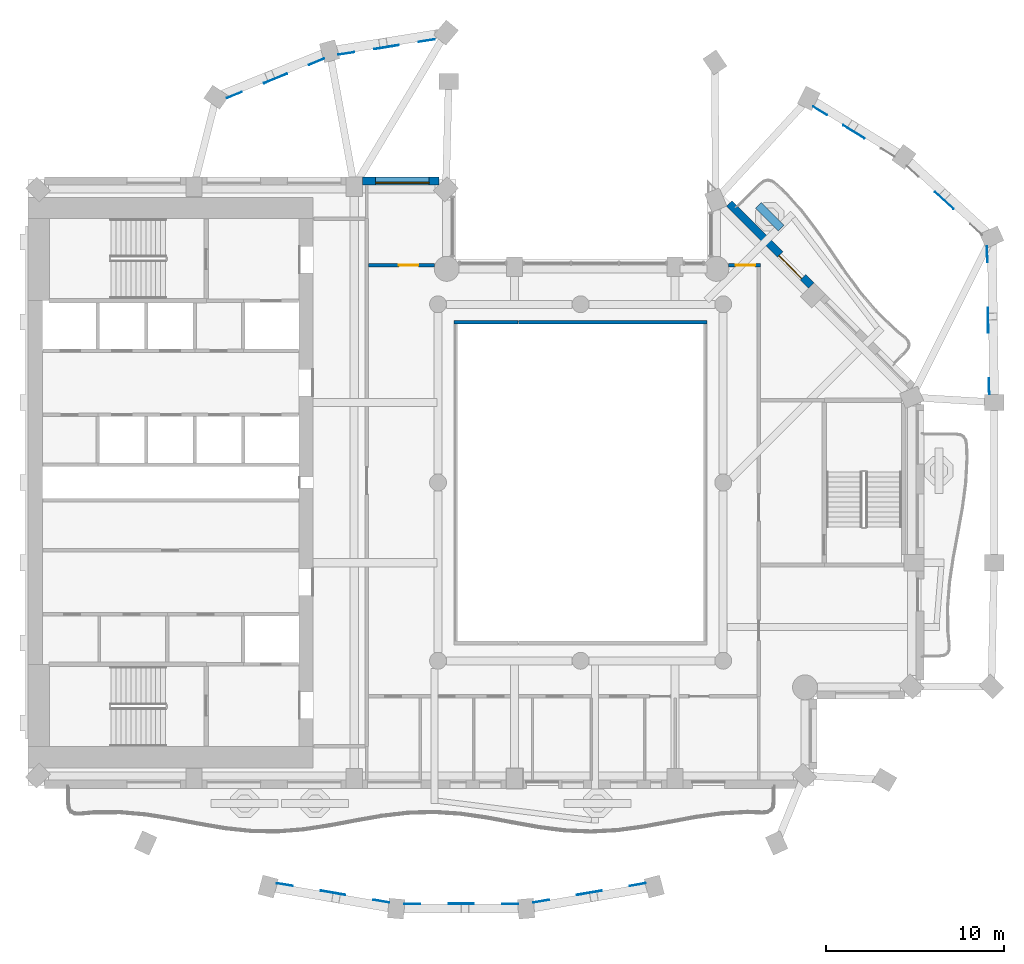
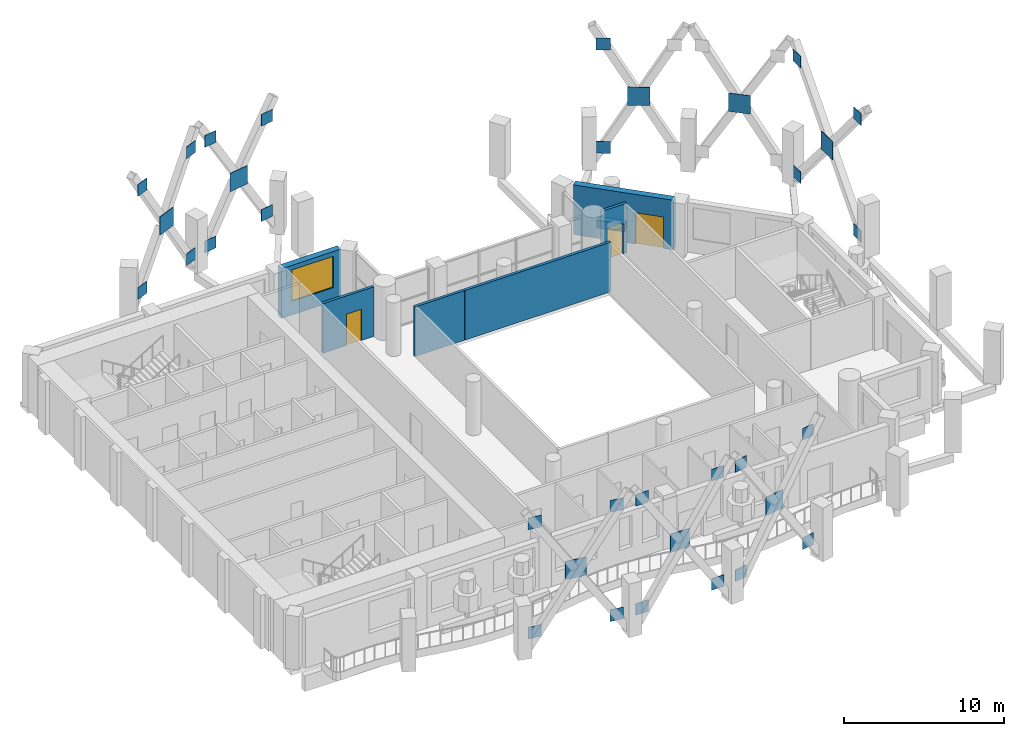
# One storey, part 7 of 16: 34 discrete accessories, 7 walls, 3 doors, 1 window, 4 openings.
"""IFC4 building model written with IfcOpenShell, lengths in metres."""

from ifc_helpers import new_model, si_unit, direction, frame, frame_2d, origin, origin_2d, place, context, subcontext, project, spatial, rectangle, extrude, material, layer, layer_set, material_profile, profile_set, type_object, element, fill, save


model = new_model("IFC4")

# Units and contexts
model_context = context("Model", 3, precision=1e-05, world=origin(), true_north=direction((0.0, 1.0)))
body_context = subcontext(model_context, "Body", "Model", "MODEL_VIEW")
ifc_project = project(units=[si_unit("LENGTHUNIT", "METRE"), si_unit("AREAUNIT", "SQUARE_METRE"), si_unit("VOLUMEUNIT", "CUBIC_METRE"), si_unit("PLANEANGLEUNIT", "RADIAN"), si_unit("MASSUNIT", "GRAM", prefix="KILO")], contexts=[model_context])

# Site, building, storey
site_placement = place(None, origin())
site = spatial("IfcSite", under=ifc_project, at=site_placement, CompositionType="ELEMENT")
building_placement = place(site_placement, origin())
building = spatial("IfcBuilding", under=site, at=building_placement, Name="Cypress Arch Tower", CompositionType="ELEMENT")
storey_placement = place(building_placement, frame((0.0, 0.0, 181.0)))
storey = spatial("IfcBuildingStorey", under=building, at=storey_placement, Name="L39", CompositionType="ELEMENT", Elevation=181.0)

# Wall
ifc_material_1 = material(Name="Concrete C40/50, waterproofed", Category="concrete")
ifc_layer_1 = layer(ifc_material_1, 0.449951171875)
ifc_layer_set_1 = layer_set([ifc_layer_1], Name="Balcony planter wall PW450")
wall_type_1 = type_object("IfcWallType", Name="Balcony planter wall PW450", PredefinedType="SOLIDWALL", material=ifc_layer_set_1)
wall_1_placement = place(storey_placement, frame((12.250732421875, 14.263427734375, 0.0), z_axis=(0.0, 0.0, 1.0), x_axis=(-0.707039709166, 0.707173846846, 0.0)))
element("IfcWall", 1, at=wall_1_placement, inside=storey, type_object=wall_type_1, Name="Balcony planter wall L39-B05.1", PredefinedType="SOLIDWALL", context=body_context, shape_type="SweptSolid", body=[
    extrude(rectangle(XDim=1.820068359375, YDim=0.449951171875, at=frame_2d((0.91015625, 0.0))), origin(), (0.0, 0.0, 1.0), 0.60009765625),
])

# Wall, opening, door
ifc_material_2 = material(Name="Brick (red buff blend)", Category="masonry")
ifc_layer_2 = layer(ifc_material_2, 0.449951171875)
ifc_layer_set_2 = layer_set([ifc_layer_2], Name="Brick pier and spandrel wall BW450")
wall_type_2 = type_object("IfcWallType", Name="Brick pier and spandrel wall BW450", PredefinedType="SOLIDWALL", material=ifc_layer_set_2)
wall_2_placement = place(storey_placement, frame((13.94091796875, 11.052978515625, 0.0), z_axis=(0.0, 0.0, 1.0), x_axis=(-0.707106781187, 0.707106781187, 0.0)))
wall_2 = element("IfcWall", 2, at=wall_2_placement, inside=storey, type_object=wall_type_2, Name="Brick wall L39 B05.1", PredefinedType="SOLIDWALL", context=body_context, shape_type="SweptSolid", body=[
    extrude(rectangle(XDim=6.505126953125, YDim=0.449951171875, at=frame_2d((3.25244140625, 0.0))), origin(), (0.0, 0.0, 1.0), 3.800048828125),
])
opening_1_placement = place(wall_2_placement, frame((0.665283203125, 0.0, 0.0)))
opening_1 = element("IfcOpeningElement", 3, at=opening_1_placement, cuts=wall_2, Name="Opening D-L39-B05.1.1", PredefinedType="OPENING", context=body_context, shape_type="SweptSolid", body=[
    extrude(rectangle(XDim=1.800048828125, YDim=2.39990234375, at=frame_2d((0.89990234375, 1.199951171875))), frame((0.0, 0.23486328125, 0.0), z_axis=(0.0, -1.0, 0.0), x_axis=(1.0, 0.0, 0.0)), (0.0, 0.0, 1.0), 0.469970703125),
])
ifc_material_3 = material(Name="Anodised aluminium, bronze finish, laminated low-emissivity double glazing, large-missile impact rated", Category="aluminium")
door_type_1 = type_object("IfcDoorType", Name="Balcony sliding door 1800x2400", OperationType="SLIDING_TO_LEFT", PredefinedType="DOOR", material=ifc_material_3)
door_1_placement = place(opening_1_placement, origin())
door_1 = element("IfcDoor", 4, at=door_1_placement, inside=storey, type_object=door_type_1, Name="Balcony door L39 B05.1.1", OperationType="SLIDING_TO_LEFT", OverallHeight=2.39990234375, OverallWidth=1.800048828125, PredefinedType="DOOR", context=body_context, shape_type="SweptSolid", body=[
    extrude(rectangle(XDim=1.800048828125, YDim=2.39990234375, at=frame_2d((0.89990234375, 1.199951171875))), frame((0.0, 0.1298828125, 0.0), z_axis=(0.0, -1.0, 0.0), x_axis=(1.0, 0.0, 0.0)), (0.0, 0.0, 1.0), 0.050048828125),
])
fill(opening_1, door_1)

# Wall, opening, window
wall_3_placement = place(storey_placement, frame((-6.936279296875, 16.925048828125, 0.0), z_axis=(0.0, 0.0, 1.0), x_axis=(-1.0, 0.0, 0.0)))
wall_3 = element("IfcWall", 5, at=wall_3_placement, inside=storey, type_object=wall_type_2, Name="Brick wall L39 B09.0", PredefinedType="SOLIDWALL", context=body_context, shape_type="SweptSolid", body=[
    extrude(rectangle(XDim=4.313720703125, YDim=0.449951171875, at=frame_2d((2.15673828125, 0.0))), origin(), (0.0, 0.0, 1.0), 3.800048828125),
])
opening_2_placement = place(wall_3_placement, frame((0.563720703125, 0.0, 1.050048828125)))
opening_2 = element("IfcOpeningElement", 6, at=opening_2_placement, cuts=wall_3, Name="Opening W300O", PredefinedType="OPENING", context=body_context, shape_type="SweptSolid", body=[
    extrude(rectangle(XDim=3.0, YDim=2.39990234375, at=frame_2d((1.5, 1.199951171875))), frame((0.0, 0.23486328125, 0.0), z_axis=(0.0, -1.0, 0.0), x_axis=(1.0, 0.0, 0.0)), (0.0, 0.0, 1.0), 0.469970703125),
])
ifc_material_4 = material(Name="Anodised aluminium, bronze finish, clear low-emissivity double glazing", Category="aluminium")
window_type = type_object("IfcWindowType", Name="Window Office 3000x2400", PartitioningType="SINGLE_PANEL", PredefinedType="WINDOW", material=ifc_material_4)
window_placement = place(opening_2_placement, origin())
window = element("IfcWindow", 7, at=window_placement, inside=storey, type_object=window_type, Name="Window L39 B09.0.1", OverallHeight=2.39990234375, OverallWidth=3.0, PartitioningType="SINGLE_PANEL", PredefinedType="WINDOW", context=body_context, shape_type="SweptSolid", body=[
    extrude(rectangle(XDim=3.0, YDim=2.39990234375, at=frame_2d((1.5, 1.199951171875))), frame((0.0, 0.135009765625, 0.0), z_axis=(0.0, -1.0, 0.0), x_axis=(1.0, 0.0, 0.0)), (0.0, 0.0, 1.0), 0.06005859375),
])
fill(opening_2, window)

# Wall, opening, door
ifc_material_5 = material(Name="Concrete blockwork, plastered, rated", Category="masonry")
ifc_layer_3 = layer(ifc_material_5, 0.199951171875)
ifc_layer_set_3 = layer_set([ifc_layer_3], Name="Corridor wall FW200")
wall_type_3 = type_object("IfcWallType", Name="Corridor wall FW200", PredefinedType="PARTITIONING", material=ifc_layer_set_3)
wall_4_placement = place(storey_placement, frame((-10.89990234375, 12.199951171875, 0.0), z_axis=(0.0, 0.0, 1.0), x_axis=(1.0, 0.0, 0.0)))
wall_4 = element("IfcWall", 8, at=wall_4_placement, inside=storey, type_object=wall_type_3, Name="Corridor wall", PredefinedType="PARTITIONING", context=body_context, shape_type="SweptSolid", body=[
    extrude(rectangle(XDim=3.7041015625, YDim=0.199951171875, at=frame_2d((1.85205078125, 0.0))), origin(), (0.0, 0.0, 1.0), 3.800048828125),
])
opening_3_placement = place(wall_4_placement, frame((1.699951171875, 0.0, 0.0)))
opening_3 = element("IfcOpeningElement", 9, at=opening_3_placement, cuts=wall_4, Name="Opening D01", PredefinedType="OPENING", context=body_context, shape_type="SweptSolid", body=[
    extrude(rectangle(XDim=1.10009765625, YDim=2.39990234375, at=frame_2d((0.550048828125, 1.199951171875))), frame((0.0, 0.10986328125, 0.0), z_axis=(0.0, -1.0, 0.0), x_axis=(1.0, 0.0, 0.0)), (0.0, 0.0, 1.0), 0.219970703125),
])
ifc_material_6 = material(Name="Timber flush door, fire resisting, self-closing", Category="wood")
door_type_2 = type_object("IfcDoorType", Name="Unit entrance door D01 1100x2400", OperationType="SINGLE_SWING_LEFT", PredefinedType="DOOR", material=ifc_material_6)
door_2_placement = place(opening_3_placement, origin())
door_2 = element("IfcDoor", 10, at=door_2_placement, inside=storey, type_object=door_type_2, Name="Unit entrance door", OperationType="SINGLE_SWING_RIGHT", OverallHeight=2.39990234375, OverallWidth=1.10009765625, PredefinedType="DOOR", context=body_context, shape_type="SweptSolid", body=[
    extrude(rectangle(XDim=1.10009765625, YDim=2.39990234375, at=frame_2d((0.550048828125, 1.199951171875))), frame((0.0, 0.02490234375, 0.0), z_axis=(0.0, -1.0, 0.0), x_axis=(1.0, 0.0, 0.0)), (0.0, 0.0, 1.0), 0.050048828125),
])
fill(opening_3, door_2)

# Walls
wall_5_placement = place(storey_placement, frame((-6.10009765625, 9.0, 0.0), z_axis=(0.0, 0.0, 1.0), x_axis=(1.0, 0.0, 0.0)))
element("IfcWall", 11, at=wall_5_placement, inside=storey, type_object=wall_type_3, Name="Corridor wall", PredefinedType="PARTITIONING", context=body_context, shape_type="SweptSolid", body=[
    extrude(rectangle(XDim=3.580078125, YDim=0.199951171875, at=frame_2d((1.7900390625, 0.0))), origin(), (0.0, 0.0, 1.0), 3.800048828125),
])
wall_6_placement = place(storey_placement, frame((-2.47998046875, 9.0, 0.0), z_axis=(0.0, 0.0, 1.0), x_axis=(1.0, 0.0, 0.0)))
element("IfcWall", 12, at=wall_6_placement, inside=storey, type_object=wall_type_3, Name="Corridor wall", PredefinedType="PARTITIONING", context=body_context, shape_type="SweptSolid", body=[
    extrude(rectangle(XDim=10.580078125, YDim=0.199951171875, at=frame_2d((5.2900390625, 0.0))), origin(), (0.0, 0.0, 1.0), 3.800048828125),
])

# Wall, opening, door
wall_7_placement = place(storey_placement, frame((9.295654296875, 12.199951171875, 0.0), z_axis=(0.0, 0.0, 1.0), x_axis=(1.0, 0.0, 0.0)))
wall_7 = element("IfcWall", 13, at=wall_7_placement, inside=storey, type_object=wall_type_3, Name="Corridor wall", PredefinedType="PARTITIONING", context=body_context, shape_type="SweptSolid", body=[
    extrude(rectangle(XDim=1.804443359375, YDim=0.199951171875, at=frame_2d((0.90234375, 0.0))), origin(), (0.0, 0.0, 1.0), 3.800048828125),
])
opening_4_placement = place(wall_7_placement, frame((0.39990234375, 0.0, 0.0)))
opening_4 = element("IfcOpeningElement", 14, at=opening_4_placement, cuts=wall_7, Name="Opening D01", PredefinedType="OPENING", context=body_context, shape_type="SweptSolid", body=[
    extrude(rectangle(XDim=1.10009765625, YDim=2.39990234375, at=frame_2d((0.550048828125, 1.199951171875))), frame((0.0, 0.10986328125, 0.0), z_axis=(0.0, -1.0, 0.0), x_axis=(1.0, 0.0, 0.0)), (0.0, 0.0, 1.0), 0.219970703125),
])
door_3_placement = place(opening_4_placement, origin())
door_3 = element("IfcDoor", 15, at=door_3_placement, inside=storey, type_object=door_type_2, Name="Unit entrance door", OperationType="SINGLE_SWING_LEFT", OverallHeight=2.39990234375, OverallWidth=1.10009765625, PredefinedType="DOOR", context=body_context, shape_type="SweptSolid", body=[
    extrude(rectangle(XDim=1.10009765625, YDim=2.39990234375, at=frame_2d((0.550048828125, 1.199951171875))), frame((0.0, 0.02490234375, 0.0), z_axis=(0.0, -1.0, 0.0), x_axis=(1.0, 0.0, 0.0)), (0.0, 0.0, 1.0), 0.050048828125),
])
fill(opening_4, door_3)

# Discrete accessories
ifc_material_7 = material(Name="Steel ASTM A992", Category="steel")
ifc_material_profile_1 = material_profile(ifc_material_7, rectangle(XDim=0.89990234375, YDim=0.89990234375, at=origin_2d()), Name="PL 30 900x900")
ifc_profile_set_1 = profile_set([ifc_material_profile_1], Name="Steel ASTM A992")
discrete_accessory_type_1 = type_object("IfcDiscreteAccessoryType", Name="Gusset plate 900x900x30 Steel ASTM A992", PredefinedType="ANCHORPLATE", material=ifc_profile_set_1)
discrete_accessory_1_placement = place(storey_placement, frame((-7.630859375, 24.806396484375, 1.907470703125), z_axis=(0.15512400912, -0.987895005451, 0.0), x_axis=(0.987895005451, 0.15512400912, 0.0)))
element("IfcDiscreteAccessory", 16, at=discrete_accessory_1_placement, inside=storey, type_object=discrete_accessory_type_1, Name="Gusset plate L39 CQ02-CQ03u0", PredefinedType="ANCHORPLATE", context=body_context, shape_type="SweptSolid", body=[
    extrude(rectangle(XDim=0.89990234375, YDim=0.89990234375, at=origin_2d()), origin(), (0.0, 0.0, 1.0), 0.02978515625),
])
discrete_accessory_2_placement = place(storey_placement, frame((-12.149658203125, 24.0849609375, 9.585205078125), z_axis=(0.153882731479, -0.98808911792, 0.0), x_axis=(0.98808911792, 0.153882731479, 0.0)))
element("IfcDiscreteAccessory", 17, at=discrete_accessory_2_placement, inside=storey, type_object=discrete_accessory_type_1, Name="Gusset plate L39 CQ02-CQ03u1", PredefinedType="ANCHORPLATE", context=body_context, shape_type="SweptSolid", body=[
    extrude(rectangle(XDim=0.89990234375, YDim=0.89990234375, at=origin_2d()), origin(), (0.0, 0.0, 1.0), 0.030029296875),
])
discrete_accessory_3_placement = place(storey_placement, frame((-7.630859375, 24.806396484375, 9.192626953125), z_axis=(0.15512400912, -0.987895005451, 0.0), x_axis=(0.987895005451, 0.15512400912, 0.0)))
element("IfcDiscreteAccessory", 18, at=discrete_accessory_3_placement, inside=storey, type_object=discrete_accessory_type_1, Name="Gusset plate L39 CQ02-CQ03d0", PredefinedType="ANCHORPLATE", context=body_context, shape_type="SweptSolid", body=[
    extrude(rectangle(XDim=0.89990234375, YDim=0.89990234375, at=origin_2d()), origin(), (0.0, 0.0, 1.0), 0.02978515625),
])
for number, where, z_axis, x_axis, name in (
    (19, (-12.149658203125, 24.0849609375, 1.514892578125), (0.153882731479, -0.98808911792, 0.0), (0.98808911792, 0.153882731479, 0.0), "Gusset plate L39 CQ02-CQ03d1"),
    (20, (-13.822998046875, 23.618896484375, 1.46044921875), (0.381157654408, -0.924510055373, 0.0), (0.924510055373, 0.381157654408, 0.0), "Gusset plate L39 CQ03-CQ04u0"),
    (21, (-18.429443359375, 21.7529296875, 9.49951171875), (0.374194034192, -0.927350432563, 0.0), (0.927350432563, 0.374194034192, 0.0), "Gusset plate L39 CQ03-CQ04u1"),
    (22, (-13.822998046875, 23.618896484375, 9.6396484375), (0.381157654408, -0.924510055373, 0.0), (0.924510055373, 0.381157654408, 0.0), "Gusset plate L39 CQ03-CQ04d0"),
    (23, (-18.429443359375, 21.7529296875, 1.6005859375), (0.374194034192, -0.927350432563, 0.0), (0.927350432563, 0.374194034192, 0.0), "Gusset plate L39 CQ03-CQ04d1"),
    (24, (-15.59716796875, -22.56884765625, 1.37255859375), (0.163076596924, 0.986613411391, 0.0), (-0.986613411391, 0.163076596924, 0.0), "Gusset plate L39 CQ06-CQ07u0"),
    (25, (-10.188232421875, -23.500244140625, 9.7275390625), (0.170997525788, 0.985271458114, 0.0), (-0.985271458114, 0.170997525788, 0.0), "Gusset plate L39 CQ06-CQ07u1"),
    (26, (-15.59716796875, -22.56884765625, 9.7275390625), (0.163076596924, 0.986613411391, 0.0), (-0.986613411391, 0.163076596924, 0.0), "Gusset plate L39 CQ06-CQ07d0"),
    (27, (-10.188232421875, -23.500244140625, 1.37255859375), (0.170997525788, 0.985271458114, 0.0), (-0.985271458114, 0.170997525788, 0.0), "Gusset plate L39 CQ06-CQ07d1"),
    (28, (-8.441162109375, -23.649658203125, 1.373779296875), (0.0, 1.0, 0.0), (-1.0, 0.0, 0.0), "Gusset plate L39 CQ07-CQ08u0"),
    (29, (-2.958984375, -23.649658203125, 9.726318359375), (0.0, 1.0, 0.0), (-1.0, 0.0, 0.0), "Gusset plate L39 CQ07-CQ08u1"),
    (30, (-8.441162109375, -23.649658203125, 9.726318359375), (0.0, 1.0, 0.0), (-1.0, 0.0, 0.0), "Gusset plate L39 CQ07-CQ08d0"),
    (31, (-2.958984375, -23.649658203125, 1.373779296875), (0.0, 1.0, 0.0), (-1.0, 0.0, 0.0), "Gusset plate L39 CQ07-CQ08d1"),
    (32, (-1.2119140625, -23.500244140625, 1.37255859375), (-0.170997525788, 0.985271458114, 0.0), (-0.985271458114, -0.170997525788, 0.0), "Gusset plate L39 CQ08-CQ09u0"),
    (33, (4.197265625, -22.56884765625, 9.7275390625), (-0.170997525788, 0.985271458114, 0.0), (-0.985271458114, -0.170997525788, 0.0), "Gusset plate L39 CQ08-CQ09u1"),
    (34, (-1.2119140625, -23.500244140625, 9.7275390625), (-0.170997525788, 0.985271458114, 0.0), (-0.985271458114, -0.170997525788, 0.0), "Gusset plate L39 CQ08-CQ09d0"),
    (35, (4.197265625, -22.56884765625, 1.37255859375), (-0.170997525788, 0.985271458114, 0.0), (-0.985271458114, -0.170997525788, 0.0), "Gusset plate L39 CQ08-CQ09d1"),
    (36, (23.932861328125, 5.396240234375, 1.078857421875), (-0.999867829764, -0.016258013492, 0.0), (0.016258013492, -0.999867829764, 0.0), "Gusset plate L39 CQ14-CQ15u0"),
    (37, (23.82373046875, 12.8154296875, 9.97314453125), (-0.999867829764, -0.016258013492, 0.0), (0.016258013492, -0.999867829764, 0.0), "Gusset plate L39 CQ14-CQ15u1"),
    (38, (23.932861328125, 5.396240234375, 10.021240234375), (-0.999867829764, -0.016258013492, 0.0), (0.016258013492, -0.999867829764, 0.0), "Gusset plate L39 CQ14-CQ15d0"),
    (39, (23.82373046875, 12.8154296875, 1.126953125), (-0.999867829764, -0.016258013492, 0.0), (0.016258013492, -0.999867829764, 0.0), "Gusset plate L39 CQ14-CQ15d1"),
):
    element("IfcDiscreteAccessory", number, at=place(storey_placement, frame(where, z_axis=z_axis, x_axis=x_axis)), inside=storey, type_object=discrete_accessory_type_1, Name=name, PredefinedType="ANCHORPLATE", context=body_context, shape_type="SweptSolid", body=[
        extrude(rectangle(XDim=0.89990234375, YDim=0.89990234375, at=origin_2d()), origin(), (0.0, 0.0, 1.0), 0.030029296875),
    ])
for number, where, z_axis, x_axis, name in (
    (40, (14.43798828125, 20.8603515625, 9.502197265625), (-0.524097425664, -0.851658316705, 0.0), (0.851658316705, -0.524097425664, 0.0), "Gusset plate L39 CQ16-CQ17u1"),
    (41, (14.43798828125, 20.8603515625, 1.597900390625), (-0.524097425664, -0.851658316705, 0.0), (0.851658316705, -0.524097425664, 0.0), "Gusset plate L39 CQ16-CQ17d1"),
):
    element("IfcDiscreteAccessory", number, at=place(storey_placement, frame(where, z_axis=z_axis, x_axis=x_axis)), inside=storey, type_object=discrete_accessory_type_1, Name=name, PredefinedType="ANCHORPLATE", context=body_context, shape_type="SweptSolid", body=[
        extrude(rectangle(XDim=0.89990234375, YDim=0.89990234375, at=origin_2d()), origin(), (0.0, 0.0, 1.0), 0.02978515625),
    ])
ifc_material_8 = material(Name="Steel ASTM A992", Category="steel")
ifc_material_profile_2 = material_profile(ifc_material_8, rectangle(XDim=1.39990234375, YDim=1.39990234375, at=origin_2d()), Name="PL 40 1400x1400")
ifc_profile_set_2 = profile_set([ifc_material_profile_2], Name="Steel ASTM A992")
discrete_accessory_type_2 = type_object("IfcDiscreteAccessoryType", Name="Node plate 1400x1400x40 Steel ASTM A992", PredefinedType="ANCHORPLATE", material=ifc_profile_set_2)
discrete_accessory_4_placement = place(storey_placement, frame((-9.890380859375, 24.445556640625, 5.550048828125), z_axis=(0.159425218663, -0.987210007878, 0.0), x_axis=(0.987210007878, 0.159425218663, 0.0)))
element("IfcDiscreteAccessory", 42, at=discrete_accessory_4_placement, inside=storey, type_object=discrete_accessory_type_2, Name="Node plate L39 CQ02-CQ03", PredefinedType="ANCHORPLATE", context=body_context, shape_type="SweptSolid", body=[
    extrude(rectangle(XDim=1.39990234375, YDim=1.39990234375, at=origin_2d()), origin(), (0.0, 0.0, 1.0), 0.039794921875),
])
for number, where, z_axis, x_axis, name in (
    (43, (-16.126220703125, 22.68603515625, 5.550048828125), (0.377683854905, -0.925934612024, 0.0), (0.925934612024, 0.377683854905, 0.0), "Node plate L39 CQ03-CQ04"),
    (44, (-12.892822265625, -23.03466796875, 5.550048828125), (0.170314285219, 0.985389793052, 0.0), (-0.985389793052, 0.170314285219, 0.0), "Node plate L39 CQ06-CQ07"),
    (45, (-5.699951171875, -23.649658203125, 5.550048828125), (0.0, 1.0, 0.0), (-1.0, 0.0, 0.0), "Node plate L39 CQ07-CQ08"),
    (46, (1.49267578125, -23.03466796875, 5.550048828125), (-0.170314285219, 0.985389793052, 0.0), (-0.985389793052, -0.170314285219, 0.0), "Node plate L39 CQ08-CQ09"),
):
    element("IfcDiscreteAccessory", number, at=place(storey_placement, frame(where, z_axis=z_axis, x_axis=x_axis)), inside=storey, type_object=discrete_accessory_type_2, Name=name, PredefinedType="ANCHORPLATE", context=body_context, shape_type="SweptSolid", body=[
        extrude(rectangle(XDim=1.39990234375, YDim=1.39990234375, at=origin_2d()), origin(), (0.0, 0.0, 1.0), 0.0400390625),
    ])
discrete_accessory_5_placement = place(storey_placement, frame((23.878173828125, 9.105712890625, 5.550048828125), z_axis=(-0.999924732801, -0.012269015126, 0.0), x_axis=(0.012269015126, -0.999924732801, 0.0)))
element("IfcDiscreteAccessory", 47, at=discrete_accessory_5_placement, inside=storey, type_object=discrete_accessory_type_2, Name="Node plate L39 CQ14-CQ15", PredefinedType="ANCHORPLATE", context=body_context, shape_type="SweptSolid", body=[
    extrude(rectangle(XDim=1.39990234375, YDim=1.39990234375, at=origin_2d()), origin(), (0.0, 0.0, 1.0), 0.039794921875),
])
for number, where, z_axis, x_axis, name in (
    (48, (21.415771484375, 15.8388671875, 5.550048828125), (-0.676000359041, -0.736901292288, 0.0), (0.736901292288, -0.676000359041, 0.0), "Node plate L39 CQ15-CQ16"),
    (49, (16.337646484375, 19.692138671875, 5.550048828125), (-0.523418105875, -0.852075986308, 0.0), (0.852075986308, -0.523418105875, 0.0), "Node plate L39 CQ16-CQ17"),
):
    element("IfcDiscreteAccessory", number, at=place(storey_placement, frame(where, z_axis=z_axis, x_axis=x_axis)), inside=storey, type_object=discrete_accessory_type_2, Name=name, PredefinedType="ANCHORPLATE", context=body_context, shape_type="SweptSolid", body=[
        extrude(rectangle(XDim=1.39990234375, YDim=1.39990234375, at=origin_2d()), origin(), (0.0, 0.0, 1.0), 0.0400390625),
    ])

save(model, "model.ifc")
